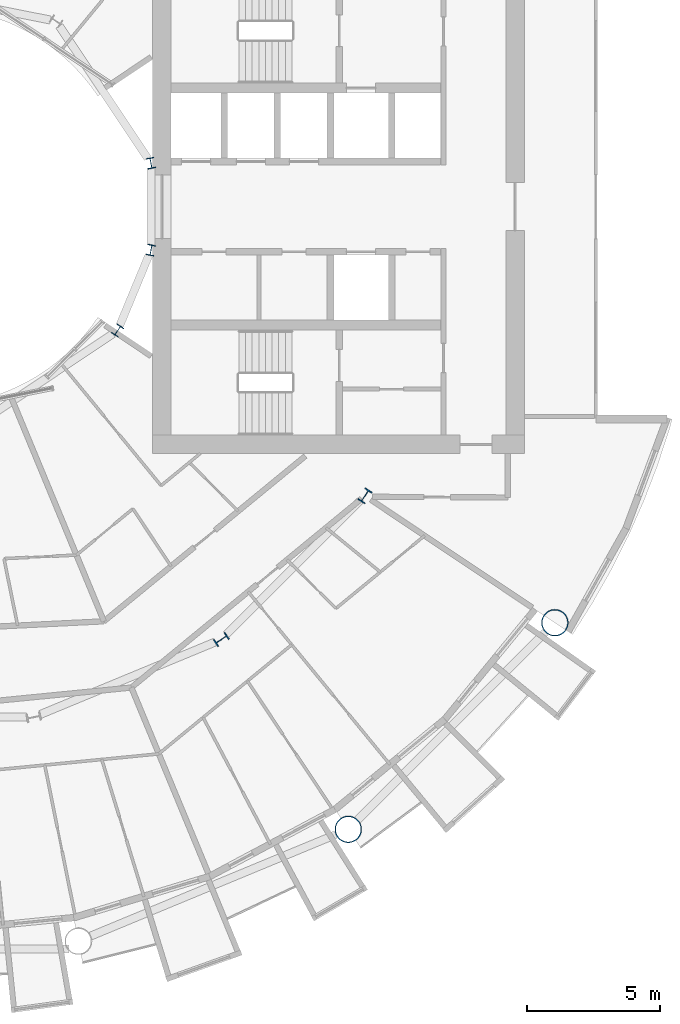
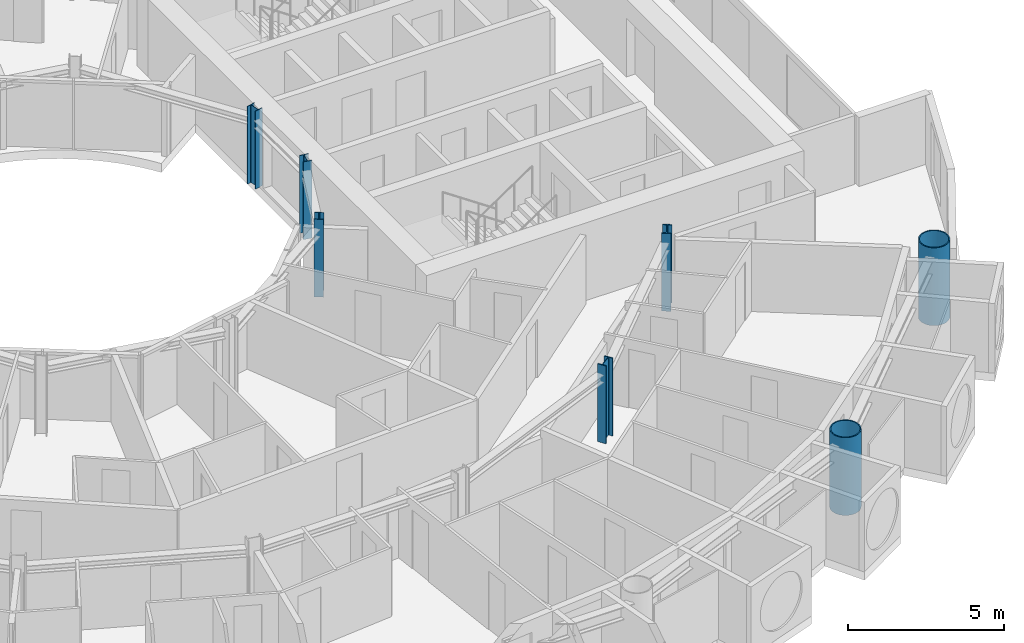
# One storey, part 2 of 26: 7 columns.
"""IFC4 building model written with IfcOpenShell, lengths in metres."""

from ifc_helpers import new_model, si_unit, direction, frame, origin, origin_2d, place, context, subcontext, project, spatial, hollow_circle, i_section, extrude, material, material_profile, profile_set, type_object, element, save


model = new_model("IFC4")

# Units and contexts
model_context = context("Model", 3, precision=1e-05, world=origin(), true_north=direction((0.0, 1.0)))
body_context = subcontext(model_context, "Body", "Model", "MODEL_VIEW")
ifc_project = project(units=[si_unit("LENGTHUNIT", "METRE"), si_unit("AREAUNIT", "SQUARE_METRE"), si_unit("VOLUMEUNIT", "CUBIC_METRE"), si_unit("PLANEANGLEUNIT", "RADIAN"), si_unit("MASSUNIT", "GRAM", prefix="KILO")], contexts=[model_context])

# Site, building, storey
site_placement = place(None, origin())
site = spatial("IfcSite", under=ifc_project, at=site_placement, CompositionType="ELEMENT")
building_placement = place(site_placement, origin())
building = spatial("IfcBuilding", under=site, at=building_placement, Name="Maasbend Ring Residences", CompositionType="ELEMENT")
storey_placement = place(building_placement, frame((0.0, 0.0, 63.60009765625)))
storey = spatial("IfcBuildingStorey", under=building, at=storey_placement, Name="L17", CompositionType="ELEMENT", Elevation=63.60009765625)

# Columns
ifc_material_1 = material(Name="Composite concrete-filled steel tube S460NH / C80/95", Category="concrete")
ifc_material_profile_1 = material_profile(ifc_material_1, hollow_circle(Radius=0.508056640625, WallThickness=0.0400390625, at=origin_2d()), Name="Composite tube column CHS 1016x40")
ifc_profile_set_1 = profile_set([ifc_material_profile_1], Name="Composite concrete-filled steel tube S460NH / C80/95")
column_type_1 = type_object("IfcColumnType", Name="Composite tube column CHS 1016x40", PredefinedType="COLUMN", material=ifc_profile_set_1)
for number, where, z_axis, x_axis, name in (
    (1, (15.6669921875, -23.447509765625, 0.0), (0.0, 0.0, 1.0), (1.0, 0.0, 0.0), "Outer column R14"),
    (2, (23.447509765625, -15.6669921875, 0.0), (0.0, 0.0, 1.0), (1.0, 0.0, 0.0), "Outer column R15"),
):
    element("IfcColumn", number, at=place(storey_placement, frame(where, z_axis=z_axis, x_axis=x_axis)), inside=storey, type_object=column_type_1, Name=name, PredefinedType="COLUMN", context=body_context, shape_type="SweptSolid", body=[
        extrude(hollow_circle(Radius=0.508056640625, WallThickness=0.0400390625, at=origin_2d()), origin(), (0.0, 0.0, 1.0), 3.0498046875),
    ])
ifc_material_2 = material(Name="Steel S355J2", Category="steel")
ifc_material_profile_2 = material_profile(ifc_material_2, i_section(OverallWidth=0.300048828125, OverallDepth=0.39990234375, WebThickness=0.013427734375, FlangeThickness=0.02392578125, FilletRadius=0.027099609375, at=origin_2d()), Name="HEB 400")
ifc_profile_set_2 = profile_set([ifc_material_profile_2], Name="Steel S355J2")
column_type_2 = type_object("IfcColumnType", Name="Steel column HEB 400", PredefinedType="COLUMN", material=ifc_profile_set_2)
for number, where, z_axis, x_axis, name in (
    (3, (8.238525390625, 1.638916015625, 0.0), (0.0, 0.0, 1.0), (0.980785280403, 0.195090322016, 0.0), "Well ring column R1"),
    (4, (6.984375, -4.666748046875, 0.0), (0.0, 0.0, 1.0), (0.831469612303, -0.55557023302, 0.0), "Well ring column R15"),
    (5, (8.238525390625, -1.638916015625, 0.0), (0.0, 0.0, 1.0), (0.980785280403, -0.195090322016, 0.0), "Well ring column R16"),
):
    element("IfcColumn", number, at=place(storey_placement, frame(where, z_axis=z_axis, x_axis=x_axis)), inside=storey, type_object=column_type_2, Name=name, PredefinedType="COLUMN", context=body_context, shape_type="SweptSolid", body=[
        extrude(i_section(OverallWidth=0.300048828125, OverallDepth=0.39990234375, WebThickness=0.013427734375, FlangeThickness=0.02392578125, FilletRadius=0.027099609375, at=origin_2d()), origin(), (0.0, 0.0, 1.0), 3.0498046875),
    ])
ifc_material_3 = material(Name="Steel S460M", Category="steel")
ifc_material_profile_3 = material_profile(ifc_material_3, i_section(OverallWidth=0.305908203125, OverallDepth=0.52392578125, WebThickness=0.02099609375, FlangeThickness=0.0400390625, FilletRadius=0.027099609375, at=origin_2d()), Name="HEM 500")
ifc_profile_set_3 = profile_set([ifc_material_profile_3], Name="Steel S460M")
column_type_3 = type_object("IfcColumnType", Name="Steel column HEM 500", PredefinedType="COLUMN", material=ifc_profile_set_3)
for number, where, z_axis, x_axis, name in (
    (6, (10.88916015625, -16.296875, 0.0), (0.0, 0.0, 1.0), (0.55557023302, -0.831469612303, 0.0), "Corridor ring column R14"),
    (7, (16.296875, -10.88916015625, 0.0), (0.0, 0.0, 1.0), (0.831469612303, -0.55557023302, 0.0), "Corridor ring column R15"),
):
    element("IfcColumn", number, at=place(storey_placement, frame(where, z_axis=z_axis, x_axis=x_axis)), inside=storey, type_object=column_type_3, Name=name, PredefinedType="COLUMN", context=body_context, shape_type="SweptSolid", body=[
        extrude(i_section(OverallWidth=0.305908203125, OverallDepth=0.52392578125, WebThickness=0.02099609375, FlangeThickness=0.0400390625, FilletRadius=0.027099609375, at=origin_2d()), origin(), (0.0, 0.0, 1.0), 3.0498046875),
    ])

save(model, "model.ifc")
